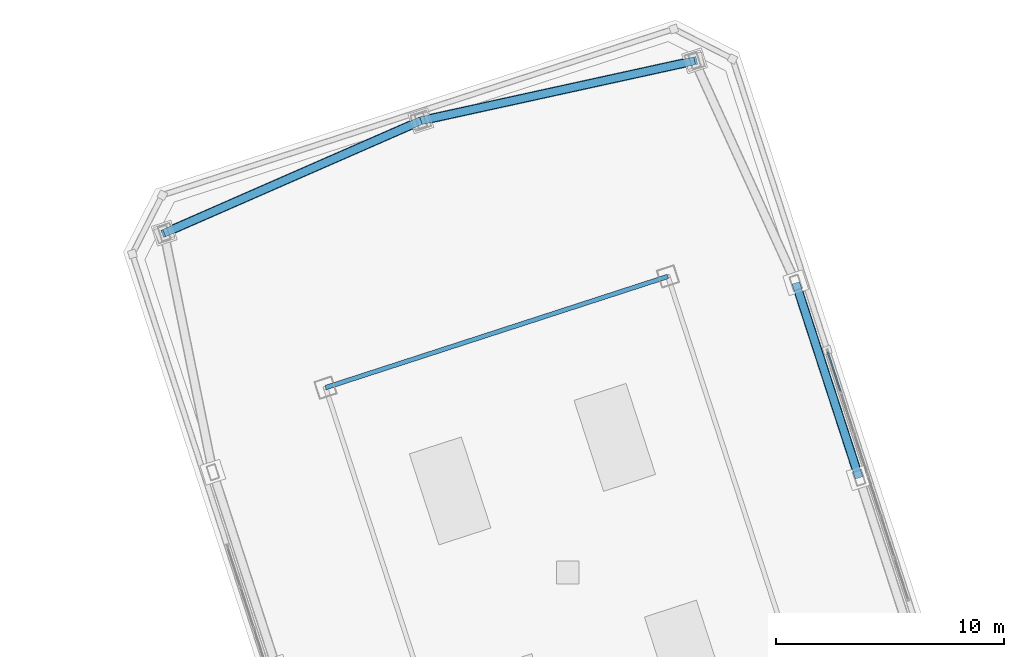
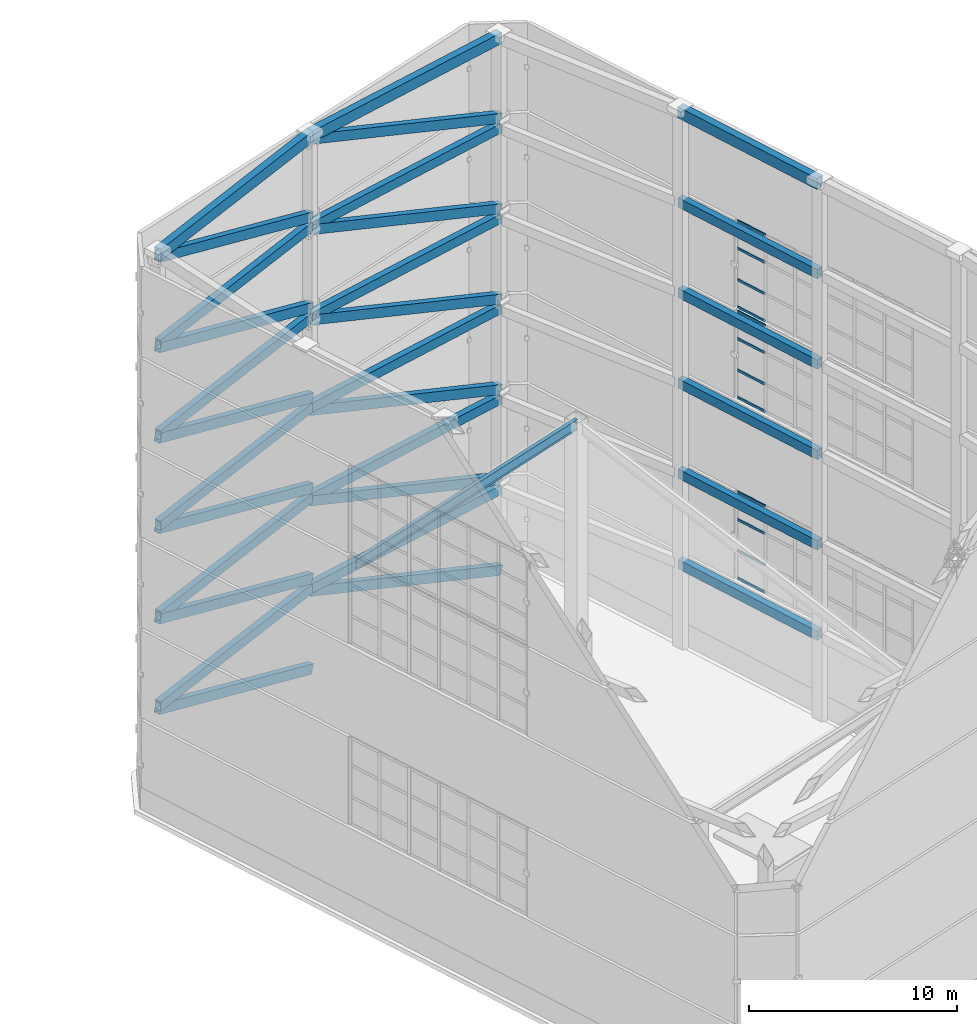
# One storey, part 41 of 56: 24 members, 19 beams, 3 elements without a shape of their own.
"""IFC4 building model written with IfcOpenShell, lengths in metres."""

from ifc_helpers import new_model, si_unit, direction, frame, origin, origin_2d, place, context, subcontext, project, spatial, hollow_rectangle, i_section, extrude, material, layer, layer_set, material_profile, profile_set, type_object, element, aggregate, save


model = new_model("IFC4")

# Units and contexts
model_context = context("Model", 3, precision=1e-05, world=origin(), true_north=direction((0.0, 1.0)))
body_context = subcontext(model_context, "Body", "Model", "MODEL_VIEW")
ifc_project = project(units=[si_unit("LENGTHUNIT", "METRE"), si_unit("AREAUNIT", "SQUARE_METRE"), si_unit("VOLUMEUNIT", "CUBIC_METRE"), si_unit("PLANEANGLEUNIT", "RADIAN"), si_unit("MASSUNIT", "GRAM", prefix="KILO")], contexts=[model_context])

# Site, building, storey
site_placement = place(None, origin())
site = spatial("IfcSite", under=ifc_project, at=site_placement, CompositionType="ELEMENT")
building_placement = place(site_placement, origin())
building = spatial("IfcBuilding", under=site, at=building_placement, Name="Qiaolan Cultural Towers", CompositionType="ELEMENT")
storey_placement = place(building_placement, frame((0.0, 0.0, 250.39990234375)))
storey = spatial("IfcBuildingStorey", under=building, at=storey_placement, Name="L68", CompositionType="ELEMENT", Elevation=250.39990234375)

# Beams
ifc_material_1 = material(Name="Steel Q355B", Category="steel")
ifc_material_profile_1 = material_profile(ifc_material_1, hollow_rectangle(XDim=0.39990234375, YDim=0.64990234375, WallThickness=0.02001953125, at=origin_2d()), Name="BOX650x400x20")
ifc_profile_set_1 = profile_set([ifc_material_profile_1], Name="Steel Q355B")
beam_type_1 = type_object("IfcBeamType", Name="BM-CROWN-FRAME-1", PredefinedType="BEAM", material=ifc_profile_set_1)
beam_1_placement = place(storey_placement, frame((102.791748046875, 38.15625, 31.47509765625), z_axis=(-0.309024734286, 0.951054001411, 0.0), x_axis=(-0.951054001411, -0.309024734286, 0.0)))
element("IfcBeam", 1, at=beam_1_placement, inside=storey, type_object=beam_type_1, Name="T2 Crown Frame Top Cap Ring Beam T6-6", PredefinedType="BEAM", context=body_context, shape_type="SweptSolid", body=[
    extrude(hollow_rectangle(XDim=0.39990234375, YDim=0.64990234375, WallThickness=0.02001953125, at=origin_2d()), origin(), (0.0, 0.0, 1.0), 9.0),
])
beam_2_placement = place(storey_placement, frame((95.57177734375, 56.461181640625, 31.47509765625), z_axis=(-0.976843395078, -0.213955559619, 0.0), x_axis=(0.213955559619, -0.976843395078, 0.0)))
element("IfcBeam", 2, at=beam_2_placement, inside=storey, type_object=beam_type_1, Name="T2 Crown Frame Top Cap Ring Beam T6-8", PredefinedType="BEAM", context=body_context, shape_type="SweptSolid", body=[
    extrude(hollow_rectangle(XDim=0.39990234375, YDim=0.64990234375, WallThickness=0.02001953125, at=origin_2d()), origin(), (0.0, 0.0, 1.0), 12.2998046875),
])
beam_3_placement = place(storey_placement, frame((83.556884765625, 53.82958984375, 31.47509765625), z_axis=(-0.916042038824, -0.401082264762, 0.0), x_axis=(0.401082264762, -0.916042038824, 0.0)))
element("IfcBeam", 3, at=beam_3_placement, inside=storey, type_object=beam_type_1, Name="T2 Crown Frame Top Cap Ring Beam T6-9", PredefinedType="BEAM", context=body_context, shape_type="SweptSolid", body=[
    extrude(hollow_rectangle(XDim=0.39990234375, YDim=0.64990234375, WallThickness=0.02001953125, at=origin_2d()), origin(), (0.0, 0.0, 1.0), 12.299560546875),
])
ifc_material_2 = material(Name="Steel Q355B", Category="steel")
ifc_material_profile_2 = material_profile(ifc_material_2, hollow_rectangle(XDim=0.35009765625, YDim=0.550048828125, WallThickness=0.01806640625, at=origin_2d()), Name="BOX550x350x18")
ifc_profile_set_2 = profile_set([ifc_material_profile_2], Name="Steel Q355B")
beam_type_2 = type_object("IfcBeamType", Name="BM-CROWN-FRAME-2", PredefinedType="BEAM", material=ifc_profile_set_2)
beam_4_placement = place(storey_placement, frame((102.791748046875, 38.15625, 4.97509765625), z_axis=(-0.309024734286, 0.951054001411, 0.0), x_axis=(-0.951054001411, -0.309024734286, 0.0)))
element("IfcBeam", 4, at=beam_4_placement, inside=storey, type_object=beam_type_2, Name="T2 Crown Frame Ring Beam T1-6", PredefinedType="BEAM", context=body_context, shape_type="SweptSolid", body=[
    extrude(hollow_rectangle(XDim=0.35009765625, YDim=0.550048828125, WallThickness=0.01806640625, at=origin_2d()), origin(), (0.0, 0.0, 1.0), 9.0),
])
beam_5_placement = place(storey_placement, frame((95.57177734375, 56.461181640625, 4.97509765625), z_axis=(-0.976843395078, -0.213955559619, 0.0), x_axis=(0.213955559619, -0.976843395078, 0.0)))
element("IfcBeam", 5, at=beam_5_placement, inside=storey, type_object=beam_type_2, Name="T2 Crown Frame Ring Beam T1-8", PredefinedType="BEAM", context=body_context, shape_type="SweptSolid", body=[
    extrude(hollow_rectangle(XDim=0.35009765625, YDim=0.550048828125, WallThickness=0.01806640625, at=origin_2d()), origin(), (0.0, 0.0, 1.0), 12.2998046875),
])
beam_6_placement = place(storey_placement, frame((83.556884765625, 53.82958984375, 4.97509765625), z_axis=(-0.916042038824, -0.401082264762, 0.0), x_axis=(0.401082264762, -0.916042038824, 0.0)))
element("IfcBeam", 6, at=beam_6_placement, inside=storey, type_object=beam_type_2, Name="T2 Crown Frame Ring Beam T1-9", PredefinedType="BEAM", context=body_context, shape_type="SweptSolid", body=[
    extrude(hollow_rectangle(XDim=0.35009765625, YDim=0.550048828125, WallThickness=0.01806640625, at=origin_2d()), origin(), (0.0, 0.0, 1.0), 12.299560546875),
])
beam_7_placement = place(storey_placement, frame((102.791748046875, 38.15625, 10.275146484375), z_axis=(-0.309024734286, 0.951054001411, 0.0), x_axis=(-0.951054001411, -0.309024734286, 0.0)))
element("IfcBeam", 7, at=beam_7_placement, inside=storey, type_object=beam_type_2, Name="T2 Crown Frame Ring Beam T2-6", PredefinedType="BEAM", context=body_context, shape_type="SweptSolid", body=[
    extrude(hollow_rectangle(XDim=0.35009765625, YDim=0.550048828125, WallThickness=0.01806640625, at=origin_2d()), origin(), (0.0, 0.0, 1.0), 9.0),
])
beam_8_placement = place(storey_placement, frame((95.57177734375, 56.461181640625, 10.275146484375), z_axis=(-0.976843395078, -0.213955559619, 0.0), x_axis=(0.213955559619, -0.976843395078, 0.0)))
element("IfcBeam", 8, at=beam_8_placement, inside=storey, type_object=beam_type_2, Name="T2 Crown Frame Ring Beam T2-8", PredefinedType="BEAM", context=body_context, shape_type="SweptSolid", body=[
    extrude(hollow_rectangle(XDim=0.35009765625, YDim=0.550048828125, WallThickness=0.01806640625, at=origin_2d()), origin(), (0.0, 0.0, 1.0), 12.2998046875),
])
beam_9_placement = place(storey_placement, frame((83.556884765625, 53.82958984375, 10.275146484375), z_axis=(-0.916042038824, -0.401082264762, 0.0), x_axis=(0.401082264762, -0.916042038824, 0.0)))
element("IfcBeam", 9, at=beam_9_placement, inside=storey, type_object=beam_type_2, Name="T2 Crown Frame Ring Beam T2-9", PredefinedType="BEAM", context=body_context, shape_type="SweptSolid", body=[
    extrude(hollow_rectangle(XDim=0.35009765625, YDim=0.550048828125, WallThickness=0.01806640625, at=origin_2d()), origin(), (0.0, 0.0, 1.0), 12.299560546875),
])
beam_10_placement = place(storey_placement, frame((102.791748046875, 38.15625, 15.5751953125), z_axis=(-0.309024734286, 0.951054001411, 0.0), x_axis=(-0.951054001411, -0.309024734286, 0.0)))
element("IfcBeam", 10, at=beam_10_placement, inside=storey, type_object=beam_type_2, Name="T2 Crown Frame Ring Beam T3-6", PredefinedType="BEAM", context=body_context, shape_type="SweptSolid", body=[
    extrude(hollow_rectangle(XDim=0.35009765625, YDim=0.550048828125, WallThickness=0.01806640625, at=origin_2d()), origin(), (0.0, 0.0, 1.0), 9.0),
])
beam_11_placement = place(storey_placement, frame((95.57177734375, 56.461181640625, 15.5751953125), z_axis=(-0.976843395078, -0.213955559619, 0.0), x_axis=(0.213955559619, -0.976843395078, 0.0)))
element("IfcBeam", 11, at=beam_11_placement, inside=storey, type_object=beam_type_2, Name="T2 Crown Frame Ring Beam T3-8", PredefinedType="BEAM", context=body_context, shape_type="SweptSolid", body=[
    extrude(hollow_rectangle(XDim=0.35009765625, YDim=0.550048828125, WallThickness=0.01806640625, at=origin_2d()), origin(), (0.0, 0.0, 1.0), 12.2998046875),
])
beam_12_placement = place(storey_placement, frame((83.556884765625, 53.82958984375, 15.5751953125), z_axis=(-0.916042038824, -0.401082264762, 0.0), x_axis=(0.401082264762, -0.916042038824, 0.0)))
element("IfcBeam", 12, at=beam_12_placement, inside=storey, type_object=beam_type_2, Name="T2 Crown Frame Ring Beam T3-9", PredefinedType="BEAM", context=body_context, shape_type="SweptSolid", body=[
    extrude(hollow_rectangle(XDim=0.35009765625, YDim=0.550048828125, WallThickness=0.01806640625, at=origin_2d()), origin(), (0.0, 0.0, 1.0), 12.299560546875),
])
beam_13_placement = place(storey_placement, frame((102.791748046875, 38.15625, 20.875), z_axis=(-0.309024734286, 0.951054001411, 0.0), x_axis=(-0.951054001411, -0.309024734286, 0.0)))
element("IfcBeam", 13, at=beam_13_placement, inside=storey, type_object=beam_type_2, Name="T2 Crown Frame Ring Beam T4-6", PredefinedType="BEAM", context=body_context, shape_type="SweptSolid", body=[
    extrude(hollow_rectangle(XDim=0.35009765625, YDim=0.550048828125, WallThickness=0.01806640625, at=origin_2d()), origin(), (0.0, 0.0, 1.0), 9.0),
])
beam_14_placement = place(storey_placement, frame((95.57177734375, 56.461181640625, 20.875), z_axis=(-0.976843395078, -0.213955559619, 0.0), x_axis=(0.213955559619, -0.976843395078, 0.0)))
element("IfcBeam", 14, at=beam_14_placement, inside=storey, type_object=beam_type_2, Name="T2 Crown Frame Ring Beam T4-8", PredefinedType="BEAM", context=body_context, shape_type="SweptSolid", body=[
    extrude(hollow_rectangle(XDim=0.35009765625, YDim=0.550048828125, WallThickness=0.01806640625, at=origin_2d()), origin(), (0.0, 0.0, 1.0), 12.2998046875),
])
beam_15_placement = place(storey_placement, frame((83.556884765625, 53.82958984375, 20.875), z_axis=(-0.916042038824, -0.401082264762, 0.0), x_axis=(0.401082264762, -0.916042038824, 0.0)))
element("IfcBeam", 15, at=beam_15_placement, inside=storey, type_object=beam_type_2, Name="T2 Crown Frame Ring Beam T4-9", PredefinedType="BEAM", context=body_context, shape_type="SweptSolid", body=[
    extrude(hollow_rectangle(XDim=0.35009765625, YDim=0.550048828125, WallThickness=0.01806640625, at=origin_2d()), origin(), (0.0, 0.0, 1.0), 12.299560546875),
])
beam_16_placement = place(storey_placement, frame((102.791748046875, 38.15625, 26.175048828125), z_axis=(-0.309024734286, 0.951054001411, 0.0), x_axis=(-0.951054001411, -0.309024734286, 0.0)))
element("IfcBeam", 16, at=beam_16_placement, inside=storey, type_object=beam_type_2, Name="T2 Crown Frame Ring Beam T5-6", PredefinedType="BEAM", context=body_context, shape_type="SweptSolid", body=[
    extrude(hollow_rectangle(XDim=0.35009765625, YDim=0.550048828125, WallThickness=0.01806640625, at=origin_2d()), origin(), (0.0, 0.0, 1.0), 9.0),
])
beam_17_placement = place(storey_placement, frame((95.57177734375, 56.461181640625, 26.175048828125), z_axis=(-0.976843395078, -0.213955559619, 0.0), x_axis=(0.213955559619, -0.976843395078, 0.0)))
element("IfcBeam", 17, at=beam_17_placement, inside=storey, type_object=beam_type_2, Name="T2 Crown Frame Ring Beam T5-8", PredefinedType="BEAM", context=body_context, shape_type="SweptSolid", body=[
    extrude(hollow_rectangle(XDim=0.35009765625, YDim=0.550048828125, WallThickness=0.01806640625, at=origin_2d()), origin(), (0.0, 0.0, 1.0), 12.2998046875),
])
beam_18_placement = place(storey_placement, frame((83.556884765625, 53.82958984375, 26.175048828125), z_axis=(-0.916042038824, -0.401082264762, 0.0), x_axis=(0.401082264762, -0.916042038824, 0.0)))
element("IfcBeam", 18, at=beam_18_placement, inside=storey, type_object=beam_type_2, Name="T2 Crown Frame Ring Beam T5-9", PredefinedType="BEAM", context=body_context, shape_type="SweptSolid", body=[
    extrude(hollow_rectangle(XDim=0.35009765625, YDim=0.550048828125, WallThickness=0.01806640625, at=origin_2d()), origin(), (0.0, 0.0, 1.0), 12.299560546875),
])
ifc_material_3 = material(Name="Steel Q355B", Category="steel")
ifc_material_profile_3 = material_profile(ifc_material_3, i_section(OverallWidth=0.199951171875, OverallDepth=0.60009765625, WebThickness=0.010986328125, FlangeThickness=0.01708984375, at=origin_2d()), Name="HN600x200x11x17")
ifc_profile_set_3 = profile_set([ifc_material_profile_3], Name="Steel Q355B")
beam_type_3 = type_object("IfcBeamType", Name="BM-SPD-HN600x200x11x17", PredefinedType="SPANDREL", material=ifc_profile_set_3)
beam_19_placement = place(storey_placement, frame((94.3994140625, 46.99560546875, 14.920166015625), z_axis=(-0.951054165655, -0.309024228808, 0.0), x_axis=(0.309024228808, -0.951054165655, 0.0)))
element("IfcBeam", 19, at=beam_19_placement, inside=storey, type_object=beam_type_3, Name="T2 Sloped Plant Roof Edge Rafter 2", PredefinedType="SPANDREL", context=body_context, shape_type="SweptSolid", body=[
    extrude(i_section(OverallWidth=0.199951171875, OverallDepth=0.60009765625, WebThickness=0.010986328125, FlangeThickness=0.01708984375, at=origin_2d()), origin(), (0.0, 0.0, 1.0), 15.800048828125),
])

# Curtain wall, members
ifc_material_4 = material(Name="Unitized Anodized Aluminium Curtain Wall System", Category="aluminium")
ifc_layer = layer(ifc_material_4, 0.199951171875)
ifc_layer_set = layer_set([ifc_layer], Name="Unitized Anodized Aluminium Curtain Wall System")
curtain_wall_type = type_object("IfcCurtainWallType", Name="CWS-06", PredefinedType="NOTDEFINED", material=ifc_layer_set)
curtain_wall_1_placement = place(storey_placement, origin())
curtain_wall_1 = element("IfcCurtainWall", 20, at=curtain_wall_1_placement, inside=storey, type_object=curtain_wall_type, Name="T2 Crown Tier 2 Fritted Screen Curtain Wall 3", PredefinedType="NOTDEFINED")
ifc_material_5 = material(Name="Extruded Aluminium 6063-T6", Category="aluminium")
ifc_material_profile_4 = material_profile(ifc_material_5, hollow_rectangle(XDim=0.06494140625, YDim=0.14990234375, WallThickness=0.00390625, at=origin_2d()), Name="CWT-150x65x4")
ifc_profile_set_4 = profile_set([ifc_material_profile_4], Name="Extruded Aluminium 6063-T6")
member_type_1 = type_object("IfcMemberType", Name="CWS-06-TRN", PredefinedType="USERDEFINED", material=ifc_profile_set_4)
member_1_placement = place(storey_placement, frame((101.973876953125, 41.967529296875, 5.4326171875), z_axis=(-0.309046367257, 0.951046971966, 0.0), x_axis=(-0.951046971966, -0.309046367257, 0.0)))
member_1 = element("IfcMember", 21, at=member_1_placement, type_object=member_type_1, Name="CW-6 transom 6.1", ObjectType="TRANSOM", PredefinedType="USERDEFINED", context=body_context, shape_type="SweptSolid", body=[
    extrude(hollow_rectangle(XDim=0.06494140625, YDim=0.14990234375, WallThickness=0.00390625, at=origin_2d()), origin(), (0.0, 0.0, 1.0), 1.807373046875),
])
member_2_placement = place(storey_placement, frame((101.973876953125, 41.967529296875, 7.030029296875), z_axis=(-0.309046367257, 0.951046971966, 0.0), x_axis=(-0.951046971966, -0.309046367257, 0.0)))
member_2 = element("IfcMember", 22, at=member_2_placement, type_object=member_type_1, Name="CW-6 transom 6.2", ObjectType="TRANSOM", PredefinedType="USERDEFINED", context=body_context, shape_type="SweptSolid", body=[
    extrude(hollow_rectangle(XDim=0.06494140625, YDim=0.14990234375, WallThickness=0.00390625, at=origin_2d()), origin(), (0.0, 0.0, 1.0), 1.807373046875),
])
member_3_placement = place(storey_placement, frame((101.973876953125, 41.967529296875, 8.8701171875), z_axis=(-0.309046367257, 0.951046971966, 0.0), x_axis=(-0.951046971966, -0.309046367257, 0.0)))
member_3 = element("IfcMember", 23, at=member_3_placement, type_object=member_type_1, Name="CW-6 transom 6.3", ObjectType="TRANSOM", PredefinedType="USERDEFINED", context=body_context, shape_type="SweptSolid", body=[
    extrude(hollow_rectangle(XDim=0.06494140625, YDim=0.14990234375, WallThickness=0.00390625, at=origin_2d()), origin(), (0.0, 0.0, 1.0), 1.807373046875),
])
member_4_placement = place(storey_placement, frame((101.973876953125, 41.967529296875, 10.467529296875), z_axis=(-0.309046367257, 0.951046971966, 0.0), x_axis=(-0.951046971966, -0.309046367257, 0.0)))
member_4 = element("IfcMember", 24, at=member_4_placement, type_object=member_type_1, Name="CW-6 transom 6.4", ObjectType="TRANSOM", PredefinedType="USERDEFINED", context=body_context, shape_type="SweptSolid", body=[
    extrude(hollow_rectangle(XDim=0.06494140625, YDim=0.14990234375, WallThickness=0.00390625, at=origin_2d()), origin(), (0.0, 0.0, 1.0), 1.807373046875),
])
aggregate(curtain_wall_1, [member_1, member_2, member_3, member_4])

curtain_wall_2_placement = place(storey_placement, origin())
curtain_wall_2 = element("IfcCurtainWall", 25, at=curtain_wall_2_placement, inside=storey, type_object=curtain_wall_type, Name="T2 Crown Tier 4 Fritted Screen Curtain Wall 3", PredefinedType="NOTDEFINED")
member_5_placement = place(storey_placement, frame((101.973876953125, 41.967529296875, 16.03271484375), z_axis=(-0.309046367257, 0.951046971966, 0.0), x_axis=(-0.951046971966, -0.309046367257, 0.0)))
member_5 = element("IfcMember", 26, at=member_5_placement, type_object=member_type_1, Name="CW-6 transom 6.1", ObjectType="TRANSOM", PredefinedType="USERDEFINED", context=body_context, shape_type="SweptSolid", body=[
    extrude(hollow_rectangle(XDim=0.06494140625, YDim=0.14990234375, WallThickness=0.00390625, at=origin_2d()), origin(), (0.0, 0.0, 1.0), 1.807373046875),
])
member_6_placement = place(storey_placement, frame((101.973876953125, 41.967529296875, 17.630126953125), z_axis=(-0.309046367257, 0.951046971966, 0.0), x_axis=(-0.951046971966, -0.309046367257, 0.0)))
member_6 = element("IfcMember", 27, at=member_6_placement, type_object=member_type_1, Name="CW-6 transom 6.2", ObjectType="TRANSOM", PredefinedType="USERDEFINED", context=body_context, shape_type="SweptSolid", body=[
    extrude(hollow_rectangle(XDim=0.06494140625, YDim=0.14990234375, WallThickness=0.00390625, at=origin_2d()), origin(), (0.0, 0.0, 1.0), 1.807373046875),
])
member_7_placement = place(storey_placement, frame((101.973876953125, 41.967529296875, 19.47021484375), z_axis=(-0.309046367257, 0.951046971966, 0.0), x_axis=(-0.951046971966, -0.309046367257, 0.0)))
member_7 = element("IfcMember", 28, at=member_7_placement, type_object=member_type_1, Name="CW-6 transom 6.3", ObjectType="TRANSOM", PredefinedType="USERDEFINED", context=body_context, shape_type="SweptSolid", body=[
    extrude(hollow_rectangle(XDim=0.06494140625, YDim=0.14990234375, WallThickness=0.00390625, at=origin_2d()), origin(), (0.0, 0.0, 1.0), 1.807373046875),
])
member_8_placement = place(storey_placement, frame((101.973876953125, 41.967529296875, 21.067626953125), z_axis=(-0.309046367257, 0.951046971966, 0.0), x_axis=(-0.951046971966, -0.309046367257, 0.0)))
member_8 = element("IfcMember", 29, at=member_8_placement, type_object=member_type_1, Name="CW-6 transom 6.4", ObjectType="TRANSOM", PredefinedType="USERDEFINED", context=body_context, shape_type="SweptSolid", body=[
    extrude(hollow_rectangle(XDim=0.06494140625, YDim=0.14990234375, WallThickness=0.00390625, at=origin_2d()), origin(), (0.0, 0.0, 1.0), 1.807373046875),
])
aggregate(curtain_wall_2, [member_5, member_6, member_7, member_8])

curtain_wall_3_placement = place(storey_placement, origin())
curtain_wall_3 = element("IfcCurtainWall", 30, at=curtain_wall_3_placement, inside=storey, type_object=curtain_wall_type, Name="T2 Crown Tier 5 Fritted Screen Curtain Wall 3", PredefinedType="NOTDEFINED")
member_9_placement = place(storey_placement, frame((101.973876953125, 41.967529296875, 21.33251953125), z_axis=(-0.309046367257, 0.951046971966, 0.0), x_axis=(-0.951046971966, -0.309046367257, 0.0)))
member_9 = element("IfcMember", 31, at=member_9_placement, type_object=member_type_1, Name="CW-6 transom 6.1", ObjectType="TRANSOM", PredefinedType="USERDEFINED", context=body_context, shape_type="SweptSolid", body=[
    extrude(hollow_rectangle(XDim=0.06494140625, YDim=0.14990234375, WallThickness=0.00390625, at=origin_2d()), origin(), (0.0, 0.0, 1.0), 1.807373046875),
])
member_10_placement = place(storey_placement, frame((101.973876953125, 41.967529296875, 22.93017578125), z_axis=(-0.309046367257, 0.951046971966, 0.0), x_axis=(-0.951046971966, -0.309046367257, 0.0)))
member_10 = element("IfcMember", 32, at=member_10_placement, type_object=member_type_1, Name="CW-6 transom 6.2", ObjectType="TRANSOM", PredefinedType="USERDEFINED", context=body_context, shape_type="SweptSolid", body=[
    extrude(hollow_rectangle(XDim=0.06494140625, YDim=0.14990234375, WallThickness=0.00390625, at=origin_2d()), origin(), (0.0, 0.0, 1.0), 1.807373046875),
])
member_11_placement = place(storey_placement, frame((101.973876953125, 41.967529296875, 24.77001953125), z_axis=(-0.309046367257, 0.951046971966, 0.0), x_axis=(-0.951046971966, -0.309046367257, 0.0)))
member_11 = element("IfcMember", 33, at=member_11_placement, type_object=member_type_1, Name="CW-6 transom 6.3", ObjectType="TRANSOM", PredefinedType="USERDEFINED", context=body_context, shape_type="SweptSolid", body=[
    extrude(hollow_rectangle(XDim=0.06494140625, YDim=0.14990234375, WallThickness=0.00390625, at=origin_2d()), origin(), (0.0, 0.0, 1.0), 1.807373046875),
])
member_12_placement = place(storey_placement, frame((101.973876953125, 41.967529296875, 26.36767578125), z_axis=(-0.309046367257, 0.951046971966, 0.0), x_axis=(-0.951046971966, -0.309046367257, 0.0)))
member_12 = element("IfcMember", 34, at=member_12_placement, type_object=member_type_1, Name="CW-6 transom 6.4", ObjectType="TRANSOM", PredefinedType="USERDEFINED", context=body_context, shape_type="SweptSolid", body=[
    extrude(hollow_rectangle(XDim=0.06494140625, YDim=0.14990234375, WallThickness=0.00390625, at=origin_2d()), origin(), (0.0, 0.0, 1.0), 1.807373046875),
])
aggregate(curtain_wall_3, [member_9, member_10, member_11, member_12])

# Members
ifc_material_6 = material(Name="Steel Q355B", Category="steel")
ifc_material_profile_5 = material_profile(ifc_material_6, hollow_rectangle(XDim=0.35009765625, YDim=0.550048828125, WallThickness=0.01806640625, at=origin_2d()), Name="BOX550x350x18")
ifc_profile_set_5 = profile_set([ifc_material_profile_5], Name="Steel Q355B")
member_type_2 = type_object("IfcMemberType", Name="MBR-CROWN-FRAME-12", PredefinedType="USERDEFINED", material=ifc_profile_set_5)
member_13_placement = place(storey_placement, frame((95.57177734375, 56.461181640625, 0.25), z_axis=(-0.915554046933, -0.200531507364, 0.348637206419), x_axis=(0.213955559619, -0.976843395078, 0.0)))
element("IfcMember", 35, at=member_13_placement, inside=storey, type_object=member_type_2, Name="T2 Crown Frame Wind Brace T1-8", ObjectType="CROWN FRAME", PredefinedType="USERDEFINED", context=body_context, shape_type="SweptSolid", body=[
    extrude(hollow_rectangle(XDim=0.35009765625, YDim=0.550048828125, WallThickness=0.01806640625, at=origin_2d()), origin(), (0.0, 0.0, 1.0), 13.123046875),
])
member_14_placement = place(storey_placement, frame((83.556884765625, 53.82958984375, 0.25), z_axis=(-0.858565580558, -0.375916620528, 0.348642852059), x_axis=(0.401082264762, -0.916042038824, 0.0)))
element("IfcMember", 36, at=member_14_placement, inside=storey, type_object=member_type_2, Name="T2 Crown Frame Wind Brace T1-9", ObjectType="CROWN FRAME", PredefinedType="USERDEFINED", context=body_context, shape_type="SweptSolid", body=[
    extrude(hollow_rectangle(XDim=0.35009765625, YDim=0.550048828125, WallThickness=0.01806640625, at=origin_2d()), origin(), (0.0, 0.0, 1.0), 13.122802734375),
])
member_15_placement = place(storey_placement, frame((95.57177734375, 56.461181640625, 5.550048828125), z_axis=(-0.915559985128, -0.200532807992, 0.34862086362), x_axis=(0.213955559619, -0.976843395078, 0.0)))
element("IfcMember", 37, at=member_15_placement, inside=storey, type_object=member_type_2, Name="T2 Crown Frame Wind Brace T2-8", ObjectType="CROWN FRAME", PredefinedType="USERDEFINED", context=body_context, shape_type="SweptSolid", body=[
    extrude(hollow_rectangle(XDim=0.35009765625, YDim=0.550048828125, WallThickness=0.01806640625, at=origin_2d()), origin(), (0.0, 0.0, 1.0), 13.123046875),
])
member_16_placement = place(storey_placement, frame((83.556884765625, 53.82958984375, 5.550048828125), z_axis=(-0.858571149312, -0.375919058766, 0.348626509068), x_axis=(0.401082264762, -0.916042038824, 0.0)))
element("IfcMember", 38, at=member_16_placement, inside=storey, type_object=member_type_2, Name="T2 Crown Frame Wind Brace T2-9", ObjectType="CROWN FRAME", PredefinedType="USERDEFINED", context=body_context, shape_type="SweptSolid", body=[
    extrude(hollow_rectangle(XDim=0.35009765625, YDim=0.550048828125, WallThickness=0.01806640625, at=origin_2d()), origin(), (0.0, 0.0, 1.0), 13.122802734375),
])
member_17_placement = place(storey_placement, frame((95.57177734375, 56.461181640625, 10.85009765625), z_axis=(-0.915559985128, -0.200532807992, 0.34862086362), x_axis=(0.213955559619, -0.976843395078, 0.0)))
element("IfcMember", 39, at=member_17_placement, inside=storey, type_object=member_type_2, Name="T2 Crown Frame Wind Brace T3-8", ObjectType="CROWN FRAME", PredefinedType="USERDEFINED", context=body_context, shape_type="SweptSolid", body=[
    extrude(hollow_rectangle(XDim=0.35009765625, YDim=0.550048828125, WallThickness=0.01806640625, at=origin_2d()), origin(), (0.0, 0.0, 1.0), 13.123046875),
])
member_18_placement = place(storey_placement, frame((83.556884765625, 53.82958984375, 10.85009765625), z_axis=(-0.858571149312, -0.375919058766, 0.348626509068), x_axis=(0.401082264762, -0.916042038824, 0.0)))
element("IfcMember", 40, at=member_18_placement, inside=storey, type_object=member_type_2, Name="T2 Crown Frame Wind Brace T3-9", ObjectType="CROWN FRAME", PredefinedType="USERDEFINED", context=body_context, shape_type="SweptSolid", body=[
    extrude(hollow_rectangle(XDim=0.35009765625, YDim=0.550048828125, WallThickness=0.01806640625, at=origin_2d()), origin(), (0.0, 0.0, 1.0), 13.122802734375),
])
member_19_placement = place(storey_placement, frame((95.57177734375, 56.461181640625, 16.150146484375), z_axis=(-0.915559985128, -0.200532807992, 0.34862086362), x_axis=(0.213955559619, -0.976843395078, 0.0)))
element("IfcMember", 41, at=member_19_placement, inside=storey, type_object=member_type_2, Name="T2 Crown Frame Wind Brace T4-8", ObjectType="CROWN FRAME", PredefinedType="USERDEFINED", context=body_context, shape_type="SweptSolid", body=[
    extrude(hollow_rectangle(XDim=0.35009765625, YDim=0.550048828125, WallThickness=0.01806640625, at=origin_2d()), origin(), (0.0, 0.0, 1.0), 13.123046875),
])
member_20_placement = place(storey_placement, frame((83.556884765625, 53.82958984375, 16.150146484375), z_axis=(-0.858571149312, -0.375919058766, 0.348626509068), x_axis=(0.401082264762, -0.916042038824, 0.0)))
element("IfcMember", 42, at=member_20_placement, inside=storey, type_object=member_type_2, Name="T2 Crown Frame Wind Brace T4-9", ObjectType="CROWN FRAME", PredefinedType="USERDEFINED", context=body_context, shape_type="SweptSolid", body=[
    extrude(hollow_rectangle(XDim=0.35009765625, YDim=0.550048828125, WallThickness=0.01806640625, at=origin_2d()), origin(), (0.0, 0.0, 1.0), 13.122802734375),
])
member_21_placement = place(storey_placement, frame((95.57177734375, 56.461181640625, 21.4501953125), z_axis=(-0.915559985128, -0.200532807992, 0.34862086362), x_axis=(0.213955559619, -0.976843395078, 0.0)))
element("IfcMember", 43, at=member_21_placement, inside=storey, type_object=member_type_2, Name="T2 Crown Frame Wind Brace T5-8", ObjectType="CROWN FRAME", PredefinedType="USERDEFINED", context=body_context, shape_type="SweptSolid", body=[
    extrude(hollow_rectangle(XDim=0.35009765625, YDim=0.550048828125, WallThickness=0.01806640625, at=origin_2d()), origin(), (0.0, 0.0, 1.0), 13.123046875),
])
member_22_placement = place(storey_placement, frame((83.556884765625, 53.82958984375, 21.4501953125), z_axis=(-0.858571149312, -0.375919058766, 0.348626509068), x_axis=(0.401082264762, -0.916042038824, 0.0)))
element("IfcMember", 44, at=member_22_placement, inside=storey, type_object=member_type_2, Name="T2 Crown Frame Wind Brace T5-9", ObjectType="CROWN FRAME", PredefinedType="USERDEFINED", context=body_context, shape_type="SweptSolid", body=[
    extrude(hollow_rectangle(XDim=0.35009765625, YDim=0.550048828125, WallThickness=0.01806640625, at=origin_2d()), origin(), (0.0, 0.0, 1.0), 13.122802734375),
])
member_23_placement = place(storey_placement, frame((95.57177734375, 56.461181640625, 26.75), z_axis=(-0.915554046933, -0.200531507364, 0.348637206419), x_axis=(0.213955559619, -0.976843395078, 0.0)))
element("IfcMember", 45, at=member_23_placement, inside=storey, type_object=member_type_2, Name="T2 Crown Frame Wind Brace T6-8", ObjectType="CROWN FRAME", PredefinedType="USERDEFINED", context=body_context, shape_type="SweptSolid", body=[
    extrude(hollow_rectangle(XDim=0.35009765625, YDim=0.550048828125, WallThickness=0.01806640625, at=origin_2d()), origin(), (0.0, 0.0, 1.0), 13.123046875),
])
member_24_placement = place(storey_placement, frame((83.556884765625, 53.82958984375, 26.75), z_axis=(-0.858565580558, -0.375916620528, 0.348642852059), x_axis=(0.401082264762, -0.916042038824, 0.0)))
element("IfcMember", 46, at=member_24_placement, inside=storey, type_object=member_type_2, Name="T2 Crown Frame Wind Brace T6-9", ObjectType="CROWN FRAME", PredefinedType="USERDEFINED", context=body_context, shape_type="SweptSolid", body=[
    extrude(hollow_rectangle(XDim=0.35009765625, YDim=0.550048828125, WallThickness=0.01806640625, at=origin_2d()), origin(), (0.0, 0.0, 1.0), 13.122802734375),
])

save(model, "model.ifc")
